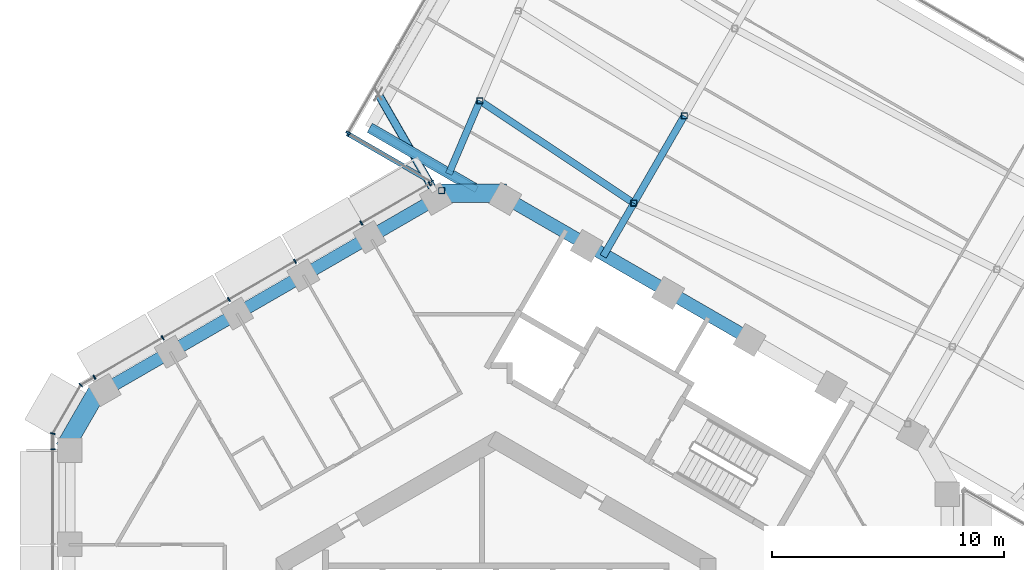
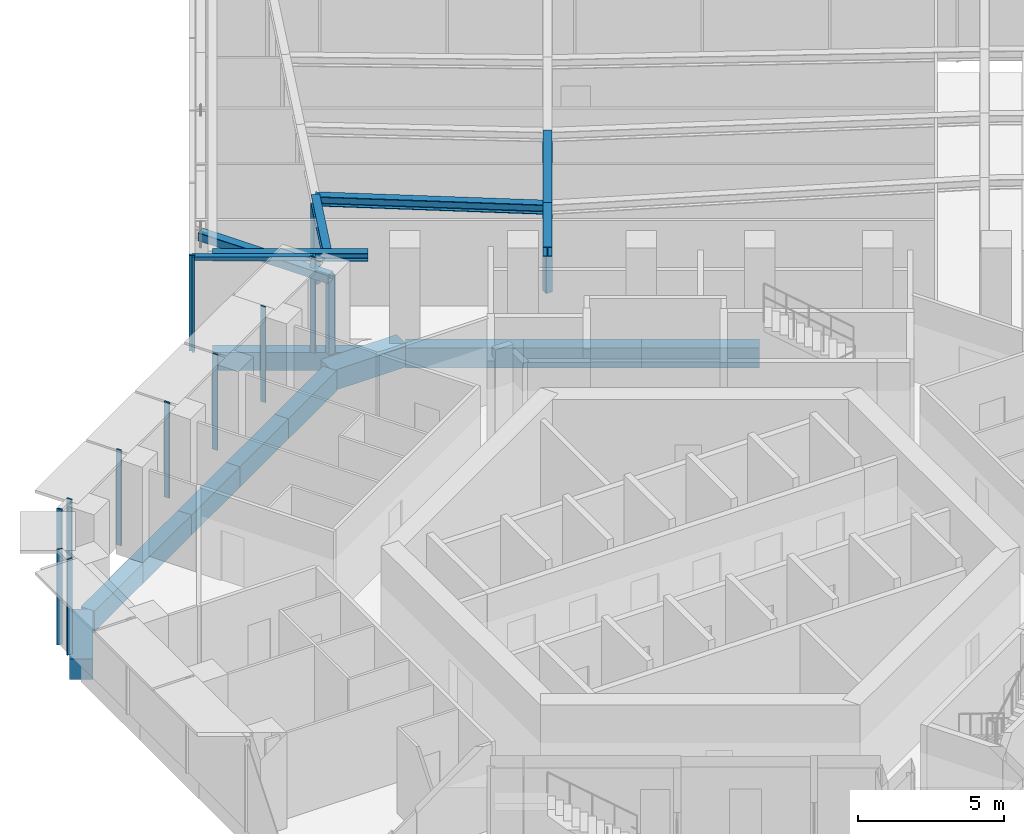
# One storey, part 5 of 28: 18 members, 16 beams, 5 elements without a shape of their own.
"""IFC4 building model written with IfcOpenShell, lengths in metres."""

from ifc_helpers import new_model, si_unit, direction, frame, origin, origin_2d, place, context, subcontext, project, spatial, rectangle, hollow_rectangle, i_section, extrude, material, layer, layer_set, material_profile, profile_set, type_object, element, aggregate, save


model = new_model("IFC4")

# Units and contexts
model_context = context("Model", 3, precision=1e-05, world=origin(), true_north=direction((0.0, 1.0)))
body_context = subcontext(model_context, "Body", "Model", "MODEL_VIEW")
ifc_project = project(units=[si_unit("LENGTHUNIT", "METRE"), si_unit("AREAUNIT", "SQUARE_METRE"), si_unit("VOLUMEUNIT", "CUBIC_METRE"), si_unit("PLANEANGLEUNIT", "RADIAN"), si_unit("MASSUNIT", "GRAM", prefix="KILO")], contexts=[model_context])

# Site, building, storey
site_placement = place(None, origin())
site = spatial("IfcSite", under=ifc_project, at=site_placement, CompositionType="ELEMENT")
building_placement = place(site_placement, origin())
building = spatial("IfcBuilding", under=site, at=building_placement, Name="Ayvan Gate Tower", CompositionType="ELEMENT")
storey_placement = place(building_placement, frame((0.0, 0.0, 143.89990234375)))
storey = spatial("IfcBuildingStorey", under=building, at=storey_placement, Name="L38", CompositionType="ELEMENT", Elevation=143.89990234375)

# Beams
ifc_material_1 = material(Name="Concrete C40/50", Category="concrete")
ifc_material_profile_1 = material_profile(ifc_material_1, rectangle(XDim=0.800048828125, YDim=0.85009765625, at=origin_2d()), Name="RC 800x850")
ifc_profile_set_1 = profile_set([ifc_material_profile_1], Name="Concrete C40/50")
beam_type_1 = type_object("IfcBeamType", Name="Corner spandrel beam RC 800x850 C40/50", PredefinedType="BEAM", material=ifc_profile_set_1)
beam_1_placement = place(storey_placement, frame((0.453125, 21.24951171875, -0.824951171875), z_axis=(-1.0, 0.0, 0.0), x_axis=(0.0, -1.0, 0.0)))
element("IfcBeam", 1, at=beam_1_placement, inside=storey, type_object=beam_type_1, Name="SB-L38-12", PredefinedType="BEAM", context=body_context, shape_type="SweptSolid", body=[
    extrude(rectangle(XDim=0.800048828125, YDim=0.85009765625, at=origin_2d()), origin(), (0.0, 0.0, 1.0), 3.0),
])
beam_2_placement = place(storey_placement, frame((-17.129150390625, 12.830322265625, -0.824951171875), z_axis=(-0.50002537861, -0.866010750942, 0.0), x_axis=(0.866010750942, -0.50002537861, 0.0)))
element("IfcBeam", 2, at=beam_2_placement, inside=storey, type_object=beam_type_1, Name="SB-L38-18", PredefinedType="BEAM", context=body_context, shape_type="SweptSolid", body=[
    extrude(rectangle(XDim=0.800048828125, YDim=0.85009765625, at=origin_2d()), origin(), (0.0, 0.0, 1.0), 2.999755859375),
])
ifc_material_profile_2 = material_profile(ifc_material_1, rectangle(XDim=0.449951171875, YDim=0.75, at=origin_2d()), Name="RC 450x750")
ifc_profile_set_2 = profile_set([ifc_material_profile_2], Name="Concrete C40/50")
beam_type_2 = type_object("IfcBeamType", Name="Sky bar edge beam RC 450x750 C40/50", PredefinedType="BEAM", material=ifc_profile_set_2)
beam_3_placement = place(storey_placement, frame((-0.747802734375, 21.35986328125, -0.77490234375), z_axis=(-0.866031884678, 0.499988774596, 0.0), x_axis=(-0.499988774596, -0.866031884678, 0.0)))
element("IfcBeam", 3, at=beam_3_placement, inside=storey, type_object=beam_type_2, Name="EB-B3-L38-1", PredefinedType="BEAM", context=body_context, shape_type="SweptSolid", body=[
    extrude(rectangle(XDim=0.449951171875, YDim=0.75, at=origin_2d()), origin(), (0.0, 0.0, 1.0), 5.42236328125),
])
ifc_material_2 = material(Name="Steel S460ML", Category="steel")
ifc_material_profile_3 = material_profile(ifc_material_2, i_section(OverallWidth=0.300048828125, OverallDepth=0.39990234375, WebThickness=0.013427734375, FlangeThickness=0.02392578125, FilletRadius=0.027099609375, at=origin_2d()), Name="HE 400 B")
ifc_profile_set_3 = profile_set([ifc_material_profile_3], Name="Steel S460ML")
beam_type_3 = type_object("IfcBeamType", Name="Sky bar roof beam B3 HE 400 B", PredefinedType="BEAM", material=ifc_profile_set_3)
beam_4_placement = place(storey_placement, frame((4.630615234375, 18.5205078125, 3.5), z_axis=(0.499972238474, 0.866041431316, 0.0), x_axis=(-0.866041431316, 0.499972238474, 0.0)))
element("IfcBeam", 4, at=beam_4_placement, inside=storey, type_object=beam_type_3, Name="RB-B3-SBT3-3-1", PredefinedType="BEAM", context=body_context, shape_type="SweptSolid", body=[
    extrude(i_section(OverallWidth=0.300048828125, OverallDepth=0.39990234375, WebThickness=0.013427734375, FlangeThickness=0.02392578125, FilletRadius=0.027099609375, at=origin_2d()), origin(), (0.0, 0.0, 1.0), 2.651123046875),
])
beam_5_placement = place(storey_placement, frame((5.9560546875, 20.81640625, 3.5), z_axis=(0.500029944444, 0.866008114662, 0.0), x_axis=(-0.866008114662, 0.500029944444, 0.0)))
element("IfcBeam", 5, at=beam_5_placement, inside=storey, type_object=beam_type_3, Name="RB-B3-SBT3-3-2", PredefinedType="BEAM", context=body_context, shape_type="SweptSolid", body=[
    extrude(i_section(OverallWidth=0.300048828125, OverallDepth=0.39990234375, WebThickness=0.013427734375, FlangeThickness=0.02392578125, FilletRadius=0.027099609375, at=origin_2d()), origin(), (0.0, 0.0, 1.0), 4.352783203125),
])
beam_6_placement = place(storey_placement, frame((-2.03369140625, 22.0791015625, 3.5), z_axis=(0.391315428398, 0.920256613938, 0.0), x_axis=(-0.920256613938, 0.391315428398, 0.0)))
element("IfcBeam", 6, at=beam_6_placement, inside=storey, type_object=beam_type_3, Name="RB-B3-SBT3-4-1", PredefinedType="BEAM", context=body_context, shape_type="SweptSolid", body=[
    extrude(i_section(OverallWidth=0.300048828125, OverallDepth=0.39990234375, WebThickness=0.013427734375, FlangeThickness=0.02392578125, FilletRadius=0.027099609375, at=origin_2d()), origin(), (0.0, 0.0, 1.0), 3.430908203125),
])
beam_7_placement = place(storey_placement, frame((5.9560546875, 20.81640625, 3.5), z_axis=(-0.832717839341, 0.55369757092, 0.0), x_axis=(-0.55369757092, -0.832717839341, 0.0)))
element("IfcBeam", 7, at=beam_7_placement, inside=storey, type_object=beam_type_3, Name="RX-B3-34-4", PredefinedType="BEAM", context=body_context, shape_type="SweptSolid", body=[
    extrude(i_section(OverallWidth=0.300048828125, OverallDepth=0.39990234375, WebThickness=0.013427734375, FlangeThickness=0.02392578125, FilletRadius=0.027099609375, at=origin_2d()), origin(), (0.0, 0.0, 1.0), 7.982666015625),
])
ifc_material_profile_4 = material_profile(ifc_material_2, i_section(OverallWidth=0.300048828125, OverallDepth=0.340087890625, WebThickness=0.011962890625, FlangeThickness=0.021484375, FilletRadius=0.027099609375, at=origin_2d()), Name="HE 340 B")
ifc_profile_set_4 = profile_set([ifc_material_profile_4], Name="Steel S460ML")
beam_type_4 = type_object("IfcBeamType", Name="Sky bar roof edge beam B3 HE 340 B", PredefinedType="BEAM", material=ifc_profile_set_4)
beam_8_placement = place(storey_placement, frame((-0.82470703125, 21.404296875, 3.530029296875), z_axis=(-0.866034661658, 0.49998396455, 0.0), x_axis=(-0.49998396455, -0.866034661658, 0.0)))
element("IfcBeam", 8, at=beam_8_placement, inside=storey, type_object=beam_type_4, Name="RE-B3-1-1", PredefinedType="BEAM", context=body_context, shape_type="SweptSolid", body=[
    extrude(i_section(OverallWidth=0.300048828125, OverallDepth=0.340087890625, WebThickness=0.011962890625, FlangeThickness=0.021484375, FilletRadius=0.027099609375, at=origin_2d()), origin(), (0.0, 0.0, 1.0), 5.333740234375),
])

# Members
ifc_material_3 = material(Name="Steel S460NH", Category="steel")
ifc_material_profile_5 = material_profile(ifc_material_3, hollow_rectangle(XDim=0.260009765625, YDim=0.260009765625, WallThickness=0.012451171875, InnerFilletRadius=0.012451171875, OuterFilletRadius=0.018798828125, at=origin_2d()), Name="RHS 260x260x12.5")
ifc_profile_set_5 = profile_set([ifc_material_profile_5], Name="Steel S460NH")
member_type_1 = type_object("IfcMemberType", Name="Sky bar roof post B3 RHS 260x260x12.5", PredefinedType="POST", material=ifc_profile_set_5)
for number, where, z_axis, x_axis, name in (
    (9, (5.9560546875, 20.81640625, 0.0), (0.0, 0.0, 1.0), (1.0, 0.0, 0.0), "RP-B3-SBT3-3-1"),
    (10, (8.132568359375, 24.5859375, 0.0), (0.0, 0.0, 1.0), (1.0, 0.0, 0.0), "RP-B3-SBT3-3-2"),
    (11, (-2.341064453125, 21.3564453125, 0.0), (0.0, 0.0, 1.0), (1.0, 0.0, 0.0), "RP-B3-SBT3-4-1"),
    (12, (-0.691162109375, 25.236328125, 0.0), (0.0, 0.0, 1.0), (1.0, 0.0, 0.0), "RP-B3-SBT3-4-2"),
):
    element("IfcMember", number, at=place(storey_placement, frame(where, z_axis=z_axis, x_axis=x_axis)), inside=storey, type_object=member_type_1, Name=name, PredefinedType="POST", context=body_context, shape_type="SweptSolid", body=[
        extrude(hollow_rectangle(XDim=0.260009765625, YDim=0.260009765625, WallThickness=0.012451171875, InnerFilletRadius=0.012451171875, OuterFilletRadius=0.018798828125, at=origin_2d()), origin(), (0.0, 0.0, 1.0), 3.300048828125),
    ])
ifc_material_profile_6 = material_profile(ifc_material_3, hollow_rectangle(XDim=0.35009765625, YDim=0.35009765625, WallThickness=0.01611328125, InnerFilletRadius=0.01611328125, OuterFilletRadius=0.02392578125, at=origin_2d()), Name="RHS 350x350x16")
ifc_profile_set_6 = profile_set([ifc_material_profile_6], Name="Steel S460NH")
member_type_2 = type_object("IfcMemberType", Name="Sky bar truss brace B3 RHS 350x350x16", PredefinedType="BRACE", material=ifc_profile_set_6)
member_1_placement = place(storey_placement, frame((-2.498046875, 21.0576171875, 3.375), z_axis=(-0.500021832428, 0.86601279846, 0.0), x_axis=(-0.86601279846, -0.500021832428, 0.0)))
element("IfcMember", 13, at=member_1_placement, inside=storey, type_object=member_type_2, Name="SBX3-A-TC-1", PredefinedType="CHORD", context=body_context, shape_type="SweptSolid", body=[
    extrude(hollow_rectangle(XDim=0.35009765625, YDim=0.35009765625, WallThickness=0.01611328125, InnerFilletRadius=0.01611328125, OuterFilletRadius=0.02392578125, at=origin_2d()), origin(), (0.0, 0.0, 1.0), 5.153076171875),
])

# Beams
ifc_material_profile_7 = material_profile(ifc_material_1, rectangle(XDim=0.550048828125, YDim=0.85009765625, at=origin_2d()), Name="RC 550x850")
ifc_profile_set_7 = profile_set([ifc_material_profile_7], Name="Concrete C40/50")
beam_type_5 = type_object("IfcBeamType", Name="Spandrel beam RC 550x850 C40/50", PredefinedType="BEAM", material=ifc_profile_set_7)
beam_9_placement = place(storey_placement, frame((10.97265625, 14.9560546875, -0.824951171875), z_axis=(-0.866011877162, 0.500023428065, 0.0), x_axis=(-0.500023428065, -0.866011877162, 0.0)))
element("IfcBeam", 14, at=beam_9_placement, inside=storey, type_object=beam_type_5, Name="SB-L38-9", PredefinedType="BEAM", context=body_context, shape_type="SweptSolid", body=[
    extrude(rectangle(XDim=0.550048828125, YDim=0.85009765625, at=origin_2d()), origin(), (0.0, 0.0, 1.0), 4.049072265625),
])
beam_10_placement = place(storey_placement, frame((7.466064453125, 16.980712890625, -0.824951171875), z_axis=(-0.866022911947, 0.500004315964, 0.0), x_axis=(-0.500004315964, -0.866022911947, 0.0)))
element("IfcBeam", 15, at=beam_10_placement, inside=storey, type_object=beam_type_5, Name="SB-L38-10", PredefinedType="BEAM", context=body_context, shape_type="SweptSolid", body=[
    extrude(rectangle(XDim=0.550048828125, YDim=0.85009765625, at=origin_2d()), origin(), (0.0, 0.0, 1.0), 4.048828125),
])
beam_11_placement = place(storey_placement, frame((3.959716796875, 19.005126953125, -0.824951171875), z_axis=(-0.866037985928, 0.499978206455, 0.0), x_axis=(-0.499978206455, -0.866037985928, 0.0)))
element("IfcBeam", 16, at=beam_11_placement, inside=storey, type_object=beam_type_5, Name="SB-L38-11", PredefinedType="BEAM", context=body_context, shape_type="SweptSolid", body=[
    extrude(rectangle(XDim=0.550048828125, YDim=0.85009765625, at=origin_2d()), origin(), (0.0, 0.0, 1.0), 4.049072265625),
])
for number, where, z_axis, x_axis, name in (
    (17, (-2.546875, 21.029541015625, -0.824951171875), (-0.866024121142, -0.500002221596, 0.0), (0.500002221596, -0.866024121142, 0.0), "SB-L38-13"),
    (18, (-5.42529296875, 19.36767578125, -0.824951171875), (-0.866024121142, -0.500002221596, 0.0), (0.500002221596, -0.866024121142, 0.0), "SB-L38-14"),
):
    element("IfcBeam", number, at=place(storey_placement, frame(where, z_axis=z_axis, x_axis=x_axis)), inside=storey, type_object=beam_type_5, Name=name, PredefinedType="BEAM", context=body_context, shape_type="SweptSolid", body=[
        extrude(rectangle(XDim=0.550048828125, YDim=0.85009765625, at=origin_2d()), origin(), (0.0, 0.0, 1.0), 3.32373046875),
    ])
beam_12_placement = place(storey_placement, frame((-8.3037109375, 17.705810546875, -0.824951171875), z_axis=(-0.866037565146, -0.499978935311, 0.0), x_axis=(0.499978935311, -0.866037565146, 0.0)))
element("IfcBeam", 19, at=beam_12_placement, inside=storey, type_object=beam_type_5, Name="SB-L38-15", PredefinedType="BEAM", context=body_context, shape_type="SweptSolid", body=[
    extrude(rectangle(XDim=0.550048828125, YDim=0.85009765625, at=origin_2d()), origin(), (0.0, 0.0, 1.0), 3.323486328125),
])
for number, where, z_axis, x_axis, name in (
    (20, (-11.181884765625, 16.044189453125, -0.824951171875), (-0.866024121142, -0.500002221596, 0.0), (0.500002221596, -0.866024121142, 0.0), "SB-L38-16"),
    (21, (-14.060302734375, 14.38232421875, -0.824951171875), (-0.866024121142, -0.500002221596, 0.0), (0.500002221596, -0.866024121142, 0.0), "SB-L38-17"),
):
    element("IfcBeam", number, at=place(storey_placement, frame(where, z_axis=z_axis, x_axis=x_axis)), inside=storey, type_object=beam_type_5, Name=name, PredefinedType="BEAM", context=body_context, shape_type="SweptSolid", body=[
        extrude(rectangle(XDim=0.550048828125, YDim=0.85009765625, at=origin_2d()), origin(), (0.0, 0.0, 1.0), 3.32373046875),
    ])

# Curtain wall, members
ifc_material_4 = material(Name="Bronze anodised aluminium", Category="aluminium")
ifc_layer_1 = layer(ifc_material_4, 0.199951171875)
ifc_layer_set_1 = layer_set([ifc_layer_1], Name="Bronze anodised aluminium")
curtain_wall_type_1 = type_object("IfcCurtainWallType", Name="Stick curtain wall CW-1", PredefinedType="NOTDEFINED", material=ifc_layer_set_1)
curtain_wall_1_placement = place(storey_placement, origin())
curtain_wall_1 = element("IfcCurtainWall", 22, at=curtain_wall_1_placement, inside=storey, type_object=curtain_wall_type_1, Name="Stick curtain wall CW-1 L38", PredefinedType="NOTDEFINED")
ifc_material_profile_8 = material_profile(ifc_material_4, rectangle(XDim=0.199951171875, YDim=0.06005859375, at=origin_2d()), Name="Stick curtain wall CW-1 mullion 200 x 60")
ifc_profile_set_8 = profile_set([ifc_material_profile_8], Name="Bronze anodised aluminium")
member_type_3 = type_object("IfcMemberType", Name="Stick curtain wall CW-1 mullion 200 x 60", PredefinedType="MULLION", material=ifc_profile_set_8)
member_2_placement = place(storey_placement, frame((-2.857421875, 21.658447265625, 0.0), z_axis=(0.0, 0.0, 1.0), x_axis=(-0.5, 0.866025403784, 0.0)))
member_2 = element("IfcMember", 23, at=member_2_placement, type_object=member_type_3, Name="CW-1 mullion 1", PredefinedType="MULLION", context=body_context, shape_type="SweptSolid", body=[
    extrude(rectangle(XDim=0.199951171875, YDim=0.06005859375, at=origin_2d()), origin(), (0.0, 0.0, 1.0), 4.0),
])
member_3_placement = place(storey_placement, frame((-5.804443359375, 19.95703125, 0.0), z_axis=(0.0, 0.0, 1.0), x_axis=(-0.5, 0.866025403784, 0.0)))
member_3 = element("IfcMember", 24, at=member_3_placement, type_object=member_type_3, Name="CW-1 mullion 2", PredefinedType="MULLION", context=body_context, shape_type="SweptSolid", body=[
    extrude(rectangle(XDim=0.199951171875, YDim=0.06005859375, at=origin_2d()), origin(), (0.0, 0.0, 1.0), 4.0),
])
member_4_placement = place(storey_placement, frame((-8.663330078125, 18.306640625, 0.0), z_axis=(0.0, 0.0, 1.0), x_axis=(-0.5, 0.866025403784, 0.0)))
member_4 = element("IfcMember", 25, at=member_4_placement, type_object=member_type_3, Name="CW-1 mullion 3", PredefinedType="MULLION", context=body_context, shape_type="SweptSolid", body=[
    extrude(rectangle(XDim=0.199951171875, YDim=0.06005859375, at=origin_2d()), origin(), (0.0, 0.0, 1.0), 4.0),
])
member_5_placement = place(storey_placement, frame((-11.52197265625, 16.656005859375, 0.0), z_axis=(0.0, 0.0, 1.0), x_axis=(-0.5, 0.866025403784, 0.0)))
member_5 = element("IfcMember", 26, at=member_5_placement, type_object=member_type_3, Name="CW-1 mullion 4", PredefinedType="MULLION", context=body_context, shape_type="SweptSolid", body=[
    extrude(rectangle(XDim=0.199951171875, YDim=0.06005859375, at=origin_2d()), origin(), (0.0, 0.0, 1.0), 4.0),
])
member_6_placement = place(storey_placement, frame((-14.380859375, 15.005615234375, 0.0), z_axis=(0.0, 0.0, 1.0), x_axis=(-0.5, 0.866025403784, 0.0)))
member_6 = element("IfcMember", 27, at=member_6_placement, type_object=member_type_3, Name="CW-1 mullion 5", PredefinedType="MULLION", context=body_context, shape_type="SweptSolid", body=[
    extrude(rectangle(XDim=0.199951171875, YDim=0.06005859375, at=origin_2d()), origin(), (0.0, 0.0, 1.0), 4.0),
])
member_7_placement = place(storey_placement, frame((-17.328125, 13.303955078125, 0.0), z_axis=(0.0, 0.0, 1.0), x_axis=(-0.5, 0.866025403784, 0.0)))
member_7 = element("IfcMember", 28, at=member_7_placement, type_object=member_type_3, Name="CW-1 mullion 6", PredefinedType="MULLION", context=body_context, shape_type="SweptSolid", body=[
    extrude(rectangle(XDim=0.199951171875, YDim=0.06005859375, at=origin_2d()), origin(), (0.0, 0.0, 1.0), 4.0),
])
aggregate(curtain_wall_1, [member_2, member_3, member_4, member_5, member_6, member_7])

# Curtain wall, member
curtain_wall_2_placement = place(storey_placement, origin())
curtain_wall_2 = element("IfcCurtainWall", 29, at=curtain_wall_2_placement, inside=storey, type_object=curtain_wall_type_1, Name="Stick curtain wall CW-1 L38", PredefinedType="NOTDEFINED")
member_8_placement = place(storey_placement, frame((-19.124267578125, 10.19287109375, 0.0), z_axis=(0.0, 0.0, 1.0), x_axis=(-1.0, 0.0, 0.0)))
member_8 = element("IfcMember", 30, at=member_8_placement, type_object=member_type_3, Name="CW-1 mullion 1", PredefinedType="MULLION", context=body_context, shape_type="SweptSolid", body=[
    extrude(rectangle(XDim=0.199951171875, YDim=0.06005859375, at=origin_2d()), origin(), (0.0, 0.0, 1.0), 4.0),
])
aggregate(curtain_wall_2, [member_8])

ifc_layer_2 = layer(ifc_material_4, 0.199951171875)
ifc_layer_set_2 = layer_set([ifc_layer_2], Name="Bronze anodised aluminium")
curtain_wall_type_2 = type_object("IfcCurtainWallType", Name="Stick curtain wall CW-4", PredefinedType="NOTDEFINED", material=ifc_layer_set_2)
curtain_wall_3_placement = place(storey_placement, origin())
curtain_wall_3 = element("IfcCurtainWall", 31, at=curtain_wall_3_placement, inside=storey, type_object=curtain_wall_type_2, Name="Stick curtain wall CW-4 L38", PredefinedType="NOTDEFINED")
ifc_material_profile_9 = material_profile(ifc_material_4, rectangle(XDim=0.199951171875, YDim=0.080078125, at=origin_2d()), Name="Stick curtain wall CW-4 mullion 200 x 80")
ifc_profile_set_9 = profile_set([ifc_material_profile_9], Name="Bronze anodised aluminium")
member_type_4 = type_object("IfcMemberType", Name="Stick curtain wall CW-4 mullion 200 x 80", PredefinedType="MULLION", material=ifc_profile_set_9)
member_9_placement = place(storey_placement, frame((-6.3798828125, 23.849609375, 0.0), z_axis=(0.0, 0.0, 1.0), x_axis=(-0.866025403784, 0.5, 0.0)))
member_9 = element("IfcMember", 32, at=member_9_placement, type_object=member_type_4, Name="CW-4 mullion 5", PredefinedType="MULLION", context=body_context, shape_type="SweptSolid", body=[
    extrude(rectangle(XDim=0.199951171875, YDim=0.080078125, at=origin_2d()), origin(), (0.0, 0.0, 1.0), 4.0),
])
aggregate(curtain_wall_3, [member_9])

# Curtain wall, members
curtain_wall_4_placement = place(storey_placement, origin())
curtain_wall_4 = element("IfcCurtainWall", 33, at=curtain_wall_4_placement, inside=storey, type_object=curtain_wall_type_2, Name="Stick curtain wall CW-4 L38", PredefinedType="NOTDEFINED")
member_10_placement = place(storey_placement, frame((-6.365234375, 23.794921875, 0.0), z_axis=(0.0, 0.0, 1.0), x_axis=(-0.5, -0.866025403784, 0.0)))
member_10 = element("IfcMember", 34, at=member_10_placement, type_object=member_type_4, Name="CW-4 mullion 1", PredefinedType="MULLION", context=body_context, shape_type="SweptSolid", body=[
    extrude(rectangle(XDim=0.199951171875, YDim=0.080078125, at=origin_2d()), origin(), (0.0, 0.0, 1.0), 4.0),
])
member_11_placement = place(storey_placement, frame((-2.770263671875, 21.71923828125, 0.0), z_axis=(0.0, 0.0, 1.0), x_axis=(-0.5, -0.866025403784, 0.0)))
member_11 = element("IfcMember", 35, at=member_11_placement, type_object=member_type_4, Name="CW-4 mullion 2", PredefinedType="MULLION", context=body_context, shape_type="SweptSolid", body=[
    extrude(rectangle(XDim=0.199951171875, YDim=0.080078125, at=origin_2d()), origin(), (0.0, 0.0, 1.0), 4.0),
])
ifc_material_profile_10 = material_profile(ifc_material_4, rectangle(XDim=0.199951171875, YDim=0.139892578125, at=origin_2d()), Name="Stick curtain wall CW-4 transom 200 x 140")
ifc_profile_set_10 = profile_set([ifc_material_profile_10], Name="Bronze anodised aluminium")
member_type_5 = type_object("IfcMemberType", Name="Stick curtain wall CW-4 transom 200 x 140", PredefinedType="USERDEFINED", material=ifc_profile_set_10)
member_12_placement = place(storey_placement, frame((-6.365234375, 23.794921875, 3.93017578125), z_axis=(0.866012230012, -0.500022816948, 0.0), x_axis=(0.500022816948, 0.866012230012, 0.0)))
member_12 = element("IfcMember", 36, at=member_12_placement, type_object=member_type_5, Name="CW-4 transom 1", ObjectType="TRANSOM", PredefinedType="USERDEFINED", context=body_context, shape_type="SweptSolid", body=[
    extrude(rectangle(XDim=0.199951171875, YDim=0.139892578125, at=origin_2d()), origin(), (0.0, 0.0, 1.0), 4.151123046875),
])
aggregate(curtain_wall_4, [member_10, member_11, member_12])

ifc_layer_3 = layer(ifc_material_4, 0.199951171875)
ifc_layer_set_3 = layer_set([ifc_layer_3], Name="Bronze anodised aluminium")
curtain_wall_type_3 = type_object("IfcCurtainWallType", Name="Stick curtain wall CW-6", PredefinedType="NOTDEFINED", material=ifc_layer_set_3)
curtain_wall_5_placement = place(storey_placement, origin())
curtain_wall_5 = element("IfcCurtainWall", 37, at=curtain_wall_5_placement, inside=storey, type_object=curtain_wall_type_3, Name="Stick curtain wall CW-6 L38", PredefinedType="NOTDEFINED")
ifc_material_profile_11 = material_profile(ifc_material_4, rectangle(XDim=0.199951171875, YDim=0.050048828125, at=origin_2d()), Name="Stick curtain wall CW-6 mullion 200 x 50")
ifc_profile_set_11 = profile_set([ifc_material_profile_11], Name="Bronze anodised aluminium")
member_type_6 = type_object("IfcMemberType", Name="Stick curtain wall CW-6 mullion 200 x 50", PredefinedType="MULLION", material=ifc_profile_set_11)
member_13_placement = place(storey_placement, frame((-17.9169921875, 12.9638671875, 0.0), z_axis=(0.0, 0.0, 1.0), x_axis=(-0.707106781187, 0.707106781187, 0.0)))
member_13 = element("IfcMember", 38, at=member_13_placement, type_object=member_type_6, Name="CW-6 mullion 2", PredefinedType="MULLION", context=body_context, shape_type="SweptSolid", body=[
    extrude(rectangle(XDim=0.199951171875, YDim=0.050048828125, at=origin_2d()), origin(), (0.0, 0.0, 1.0), 4.0),
])
member_14_placement = place(storey_placement, frame((-19.124267578125, 10.872802734375, 0.0), z_axis=(0.0, 0.0, 1.0), x_axis=(-0.965925826289, 0.258819045103, 0.0)))
member_14 = element("IfcMember", 39, at=member_14_placement, type_object=member_type_6, Name="CW-6 mullion 3", PredefinedType="MULLION", context=body_context, shape_type="SweptSolid", body=[
    extrude(rectangle(XDim=0.199951171875, YDim=0.050048828125, at=origin_2d()), origin(), (0.0, 0.0, 1.0), 4.0),
])
aggregate(curtain_wall_5, [member_13, member_14])

save(model, "model.ifc")
